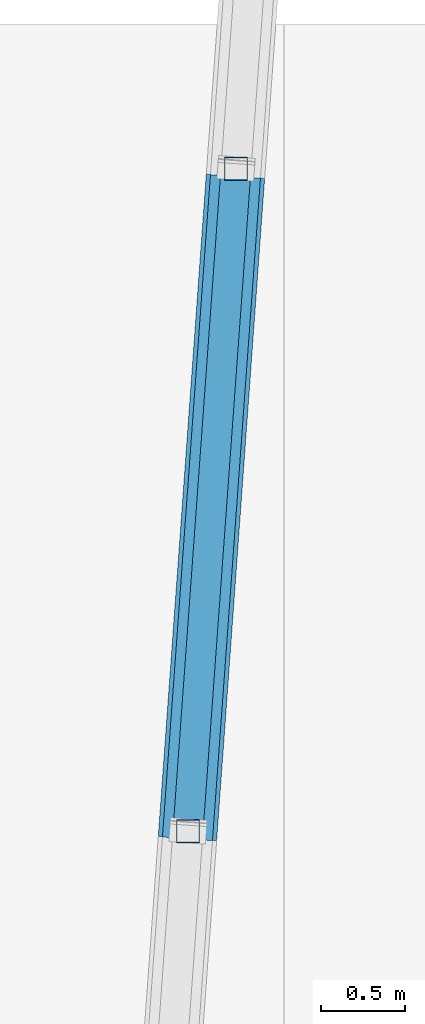
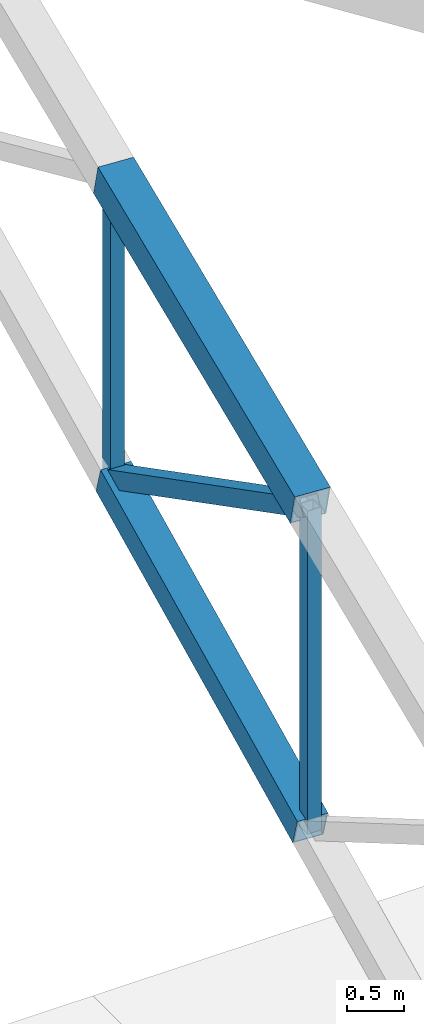
# One storey, part 87 of 188: 5 members.
"""IFC4 building model written with IfcOpenShell, lengths in metres."""

import ifcopenshell
import ifcopenshell.guid

model = None  # the IFC model being written
_history = None  # IfcOwnerHistory: only IFC2X3 demands one
_inside = {}  # id of a spatial element -> (the spatial element, [elements in it])
_under = {}  # id of a project, library or spatial element -> (it, [spatial elements below it])
_declared = {}  # id of a project -> (the project, [libraries it declares])
_typed = {}  # id of a type object -> (the type object, [elements of that type])
_made_of = {}  # id of a material, layer set ... -> (it, [elements and type objects made of it])


def new_model(schema):
    """Start an empty IFC model of exactly this schema.

    Asked for "IFC4X3", IfcOpenShell would pick the latest addendum, in which some entities
    have other attributes; the version numbers below select the first issue.
    IFC2X3 requires an IfcOwnerHistory on every rooted entity: one is made here for all.
    """
    global model, _history
    if schema == "IFC4X3":
        model = ifcopenshell.file(schema_version=(4, 3, 0, 0))
    else:
        model = ifcopenshell.file(schema=schema)
    _inside.clear()
    _under.clear()
    _declared.clear()
    _typed.clear()
    _made_of.clear()
    _history = None
    if model.schema == "IFC2X3":
        org = make("IfcOrganization", Name="unknown")
        user = make(
            "IfcPersonAndOrganization",
            ThePerson=make("IfcPerson", FamilyName="unknown"),
            TheOrganization=org,
        )
        app = make(
            "IfcApplication",
            ApplicationDeveloper=org,
            Version="unknown",
            ApplicationFullName="unknown",
            ApplicationIdentifier="unknown",
        )
        _history = make(
            "IfcOwnerHistory",
            OwningUser=user,
            OwningApplication=app,
            ChangeAction="ADDED",
            CreationDate=0,
        )
    return model


def make(cls, **values):
    """One entity of the class cls with the attributes given. An attribute that is None is left unset."""
    return model.create_entity(
        cls, **{name: value for name, value in values.items() if value is not None}
    )


def rooted(cls, **values):
    """An entity with a GlobalId (a new one), such as an element, a storey or a relation."""
    return make(cls, GlobalId=ifcopenshell.guid.new(), OwnerHistory=_history, **values)


def si_unit(unit_type, name, prefix=None):
    """IfcSIUnit, for example si_unit("LENGTHUNIT", "METRE", prefix="MILLI")."""
    return make("IfcSIUnit", UnitType=unit_type, Prefix=prefix, Name=name)


def assignment(units):
    """IfcUnitAssignment: the units of a project."""
    return None if units is None else make("IfcUnitAssignment", Units=units)


def point(xyz):
    """IfcCartesianPoint."""
    return None if xyz is None else make("IfcCartesianPoint", Coordinates=xyz)


def direction(xyz):
    """IfcDirection."""
    return None if xyz is None else make("IfcDirection", DirectionRatios=xyz)


def frame(location, z_axis=None, x_axis=None):
    """IfcAxis2Placement3D, a coordinate frame: its origin and axes. An axis left out is left unset."""
    return make(
        "IfcAxis2Placement3D",
        Location=point(location),
        Axis=direction(z_axis),
        RefDirection=direction(x_axis),
    )


def frame_2d(location, x_axis=None):
    """IfcAxis2Placement2D, a coordinate frame in the plane: its origin and x axis."""
    return make(
        "IfcAxis2Placement2D", Location=point(location), RefDirection=direction(x_axis)
    )


def origin():
    """The frame at (0, 0, 0) with its axes left unset."""
    return frame((0.0, 0.0, 0.0))


def origin_2d():
    """The frame at (0, 0) in the plane with its x axis left unset."""
    return frame_2d((0.0, 0.0))


def place(relative_to, where):
    """IfcLocalPlacement: puts the frame where relative to a parent placement (None: the world)."""
    return make(
        "IfcLocalPlacement", PlacementRelTo=relative_to, RelativePlacement=where
    )


def context(
    kind, dimensions, precision=None, world=None, true_north=None, identifier=None
):
    """IfcGeometricRepresentationContext, for example the 3D "Model" context."""
    return make(
        "IfcGeometricRepresentationContext",
        ContextIdentifier=identifier,
        ContextType=kind,
        CoordinateSpaceDimension=dimensions,
        Precision=precision,
        WorldCoordinateSystem=world,
        TrueNorth=true_north,
    )


def subcontext(parent, identifier, kind, view, scale=None):
    """IfcGeometricRepresentationSubContext, for example "Body" below "Model"."""
    return make(
        "IfcGeometricRepresentationSubContext",
        ContextIdentifier=identifier,
        ContextType=kind,
        ParentContext=parent,
        TargetScale=scale,
        TargetView=view,
    )


def project(units=None, contexts=None):
    """IfcProject with its units and contexts."""
    return rooted(
        "IfcProject",
        Name="project",
        RepresentationContexts=contexts,
        UnitsInContext=assignment(units),
    )


def spatial(cls, under=None, at=None, **own):
    """A site, building, storey or space (cls), placed at a placement, below another one or the project."""
    s = rooted(cls, ObjectPlacement=at, **own)
    if under is not None:
        _under.setdefault(under.id(), (under, []))[1].append(s)
    return s


def profile(cls, at=None, kind="AREA", **sizes):
    """A parametric profile (cls). Its sizes go by their IFC names, for example OverallWidth=200.0."""
    return make(cls, ProfileType=kind, Position=at, **sizes)


def hollow_rectangle(**sizes):
    """IfcRectangleHollowProfileDef."""
    return profile("IfcRectangleHollowProfileDef", **sizes)


def extrude(swept, where, along, depth):
    """IfcExtrudedAreaSolid: the profile swept, set in the frame where, extruded along a direction by depth."""
    return make(
        "IfcExtrudedAreaSolid",
        SweptArea=swept,
        Position=where,
        ExtrudedDirection=direction(along),
        Depth=depth,
    )


def shape(context_of_items, identifier, shape_type, items):
    """IfcShapeRepresentation: the items that make up one representation, for example the "Body"."""
    return make(
        "IfcShapeRepresentation",
        ContextOfItems=context_of_items,
        RepresentationIdentifier=identifier,
        RepresentationType=shape_type,
        Items=items,
    )


def material(Name=None, Category=None):
    """IfcMaterial."""
    return make("IfcMaterial", Name=Name, Category=Category)


def material_profile(
    of_material, cross_section, Name=None, Category=None, Priority=None
):
    """IfcMaterialProfile: a cross section and its material."""
    return make(
        "IfcMaterialProfile",
        Name=Name,
        Material=of_material,
        Profile=cross_section,
        Priority=Priority,
        Category=Category,
    )


def profile_set(profiles, Name=None, composite=None):
    """IfcMaterialProfileSet."""
    return make(
        "IfcMaterialProfileSet",
        Name=Name,
        MaterialProfiles=profiles,
        CompositeProfile=composite,
    )


def made_of(thing, what):
    """Note that an element or type object is made of a material, layer set ...; save() writes the relation."""
    if what is not None:
        _made_of.setdefault(what.id(), (what, []))[1].append(thing)
    return thing


def type_object(cls, material=None, **own):
    """A type object (cls), such as IfcWallType, which elements share."""
    return made_of(rooted(cls, **own), material)


def element(
    cls,
    number,
    at=None,
    inside=None,
    cuts=None,
    type_object=None,
    material=None,
    context=None,
    identifier="Body",
    shape_type=None,
    held_by="IfcProductDefinitionShape",
    body=None,
    shapes=None,
    **own,
):
    """One element of the class cls, such as IfcWall. Its Tag is "e" and its number.

    at: its placement. inside: the storey or other place that contains it. cuts: it is an
    opening in that element (IfcRelVoidsElement). A single representation is given by context,
    identifier, shape_type and body (its items); several are given by shapes. held_by: the class
    of the entity that holds the representations. save() writes the other relations.
    """
    e = rooted(cls, Tag="e%d" % number, ObjectPlacement=at, **own)
    if body is not None:
        shapes = [shape(context, identifier, shape_type, body)]
    if shapes is not None:
        e.Representation = make(held_by, Representations=shapes)
    if inside is not None:
        _inside.setdefault(inside.id(), (inside, []))[1].append(e)
    if cuts is not None:
        rooted(
            "IfcRelVoidsElement", RelatingBuildingElement=cuts, RelatedOpeningElement=e
        )
    if type_object is not None:
        _typed.setdefault(type_object.id(), (type_object, []))[1].append(e)
    return made_of(e, material)


def aggregate(whole, parts):
    """IfcRelAggregates: a whole, such as a stair, and the parts it consists of."""
    return rooted("IfcRelAggregates", RelatingObject=whole, RelatedObjects=parts)


def save(model, path):
    """Write the relations noted so far, then the file.

    IfcRelAggregates (storeys below a building ...), IfcRelContainedInSpatialStructure (elements
    in a storey), IfcRelDefinesByType, IfcRelAssociatesMaterial and IfcRelDeclares: one each for
    every whole, place, type object, material and project.
    """
    for whole, parts in _under.values():
        aggregate(whole, parts)
    for where, things in _inside.values():
        rooted(
            "IfcRelContainedInSpatialStructure",
            RelatedElements=things,
            RelatingStructure=where,
        )
    for kind, things in _typed.values():
        rooted("IfcRelDefinesByType", RelatedObjects=things, RelatingType=kind)
    for what, things in _made_of.values():
        rooted("IfcRelAssociatesMaterial", RelatedObjects=things, RelatingMaterial=what)
    for by, libraries in _declared.values():
        rooted("IfcRelDeclares", RelatingContext=by, RelatedDefinitions=libraries)
    model.write(path)


model = new_model("IFC4")

# Units and contexts
model_context = context("Model", 3, precision=1e-05, world=origin(), true_north=direction((0.0, 1.0)))
body_context = subcontext(model_context, "Body", "Model", "MODEL_VIEW")
ifc_project = project(units=[si_unit("LENGTHUNIT", "METRE"), si_unit("AREAUNIT", "SQUARE_METRE"), si_unit("VOLUMEUNIT", "CUBIC_METRE"), si_unit("PLANEANGLEUNIT", "RADIAN"), si_unit("MASSUNIT", "GRAM", prefix="KILO")], contexts=[model_context])

# Site, building, storey
site_placement = place(None, origin())
site = spatial("IfcSite", under=ifc_project, at=site_placement, CompositionType="ELEMENT")
building_placement = place(site_placement, origin())
building = spatial("IfcBuilding", under=site, at=building_placement, Name="Meseta Stadium", CompositionType="ELEMENT")
storey_placement = place(building_placement, frame((0.0, 0.0, 30.0)))
storey = spatial("IfcBuildingStorey", under=building, at=storey_placement, Name="ROOF", CompositionType="ELEMENT", Elevation=30.0)

# Members
ifc_material_1 = material(Name="Steel S355", Category="steel")
ifc_material_profile_1 = material_profile(ifc_material_1, hollow_rectangle(XDim=0.139892578125, YDim=0.139892578125, WallThickness=0.0048828125, at=origin_2d()), Name="SHS 140x140x5")
ifc_profile_set_1 = profile_set([ifc_material_profile_1], Name="Steel S355")
member_type_1 = type_object("IfcMemberType", Name="SHS 140x140x5 post", PredefinedType="POST", material=ifc_profile_set_1)
member_1_placement = place(storey_placement, frame((7.091796875, 97.47314453125, 4.931396484375), z_axis=(0.0, 0.0, 1.0), x_axis=(1.0, 0.0, 0.0)))
element("IfcMember", 1, at=member_1_placement, inside=storey, type_object=member_type_1, Name="ROOF TRUSS RT-18 post", PredefinedType="POST", context=body_context, shape_type="SweptSolid", body=[
    extrude(hollow_rectangle(XDim=0.139892578125, YDim=0.139892578125, WallThickness=0.0048828125, at=origin_2d()), origin(), (0.0, 0.0, 1.0), 3.468994140625),
])
member_2_placement = place(storey_placement, frame((7.379150390625, 101.4365234375, 6.208740234375), z_axis=(0.0, 0.0, 1.0), x_axis=(1.0, 0.0, 0.0)))
element("IfcMember", 2, at=member_2_placement, inside=storey, type_object=member_type_1, Name="ROOF TRUSS RT-18 post", PredefinedType="POST", context=body_context, shape_type="SweptSolid", body=[
    extrude(hollow_rectangle(XDim=0.139892578125, YDim=0.139892578125, WallThickness=0.0048828125, at=origin_2d()), origin(), (0.0, 0.0, 1.0), 3.234375),
])
ifc_material_2 = material(Name="Steel S355", Category="steel")
ifc_material_profile_2 = material_profile(ifc_material_2, hollow_rectangle(XDim=0.179931640625, YDim=0.179931640625, WallThickness=0.00634765625, at=origin_2d()), Name="SHS 180x180x6.3")
ifc_profile_set_2 = profile_set([ifc_material_profile_2], Name="Steel S355")
member_type_2 = type_object("IfcMemberType", Name="SHS 180x180x6.3 diagonal", PredefinedType="BRACE", material=ifc_profile_set_2)
member_3_placement = place(storey_placement, frame((7.091796875, 97.47314453125, 8.400390625), z_axis=(0.063320342058, 0.873358056892, -0.482945378633), x_axis=(-0.997382035302, 0.072312347884, 0.0)))
element("IfcMember", 3, at=member_3_placement, inside=storey, type_object=member_type_2, Name="ROOF TRUSS RT-18 diagonal", PredefinedType="BRACE", context=body_context, shape_type="SweptSolid", body=[
    extrude(hollow_rectangle(XDim=0.179931640625, YDim=0.179931640625, WallThickness=0.00634765625, at=origin_2d()), origin(), (0.0, 0.0, 1.0), 4.5380859375),
])
ifc_material_3 = material(Name="Steel S355", Category="steel")
ifc_material_profile_3 = material_profile(ifc_material_3, hollow_rectangle(XDim=0.300048828125, YDim=0.300048828125, WallThickness=0.010009765625, at=origin_2d()), Name="SHS 300x300x10")
ifc_profile_set_3 = profile_set([ifc_material_profile_3], Name="Steel S355")
member_type_3 = type_object("IfcMemberType", Name="SHS 300x300x10 bottom chord", PredefinedType="CHORD", material=ifc_profile_set_3)
member_4_placement = place(storey_placement, frame((7.091796875, 97.47314453125, 4.931396484375), z_axis=(0.068843134659, 0.949532241333, 0.306021478789), x_axis=(-0.997382035302, 0.072312347884, 0.0)))
element("IfcMember", 4, at=member_4_placement, inside=storey, type_object=member_type_3, Name="ROOF TRUSS RT-18 bottom chord", PredefinedType="CHORD", context=body_context, shape_type="SweptSolid", body=[
    extrude(hollow_rectangle(XDim=0.300048828125, YDim=0.300048828125, WallThickness=0.010009765625, at=origin_2d()), origin(), (0.0, 0.0, 1.0), 4.174072265625),
])
ifc_material_4 = material(Name="Steel S355", Category="steel")
ifc_material_profile_4 = material_profile(ifc_material_4, hollow_rectangle(XDim=0.35009765625, YDim=0.35009765625, WallThickness=0.010009765625, at=origin_2d()), Name="SHS 350x350x10")
ifc_profile_set_4 = profile_set([ifc_material_profile_4], Name="Steel S355")
member_type_4 = type_object("IfcMemberType", Name="SHS 350x350x10 top chord", PredefinedType="CHORD", material=ifc_profile_set_4)
member_5_placement = place(storey_placement, frame((7.091796875, 97.47314453125, 8.400390625), z_axis=(0.069944441371, 0.964722227037, 0.253808588867), x_axis=(-0.997382035302, 0.072312347884, 0.0)))
element("IfcMember", 5, at=member_5_placement, inside=storey, type_object=member_type_4, Name="ROOF TRUSS RT-18 top chord", PredefinedType="CHORD", context=body_context, shape_type="SweptSolid", body=[
    extrude(hollow_rectangle(XDim=0.35009765625, YDim=0.35009765625, WallThickness=0.010009765625, at=origin_2d()), origin(), (0.0, 0.0, 1.0), 4.1083984375),
])

save(model, "model.ifc")
